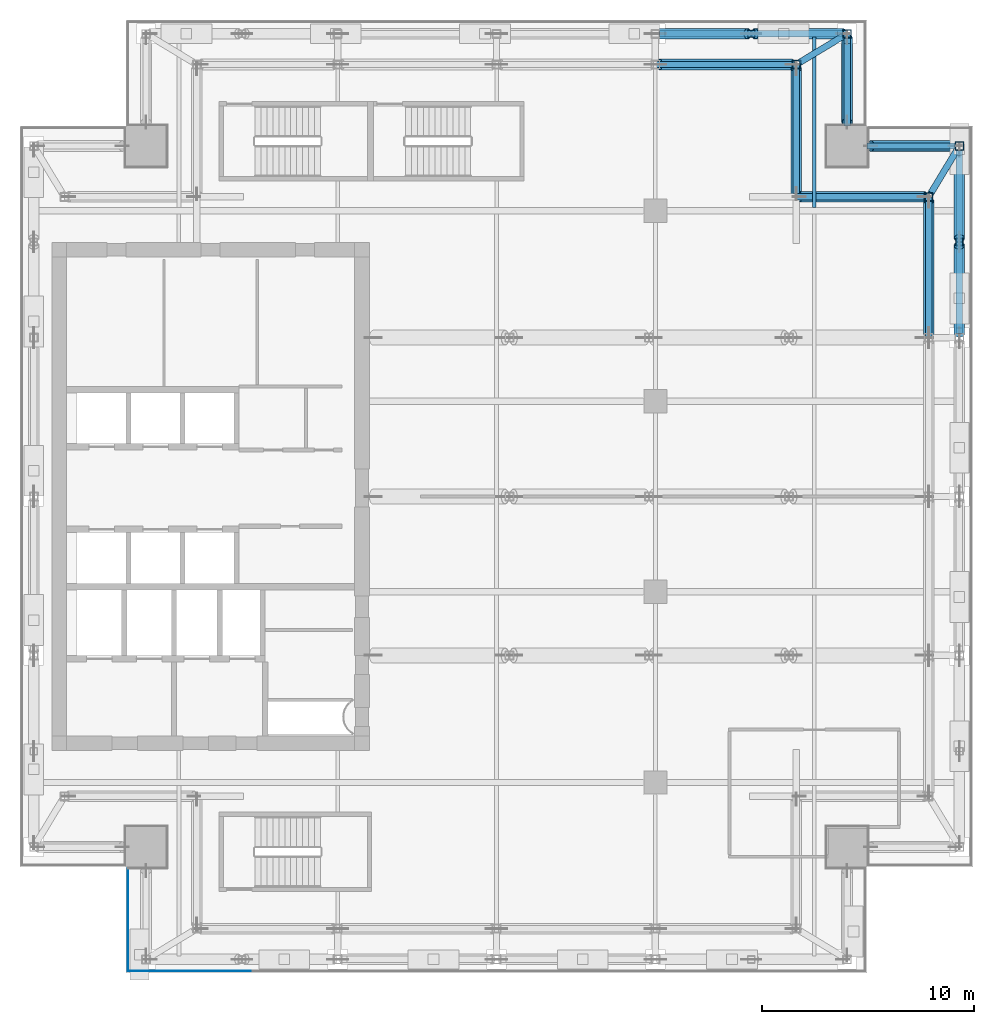
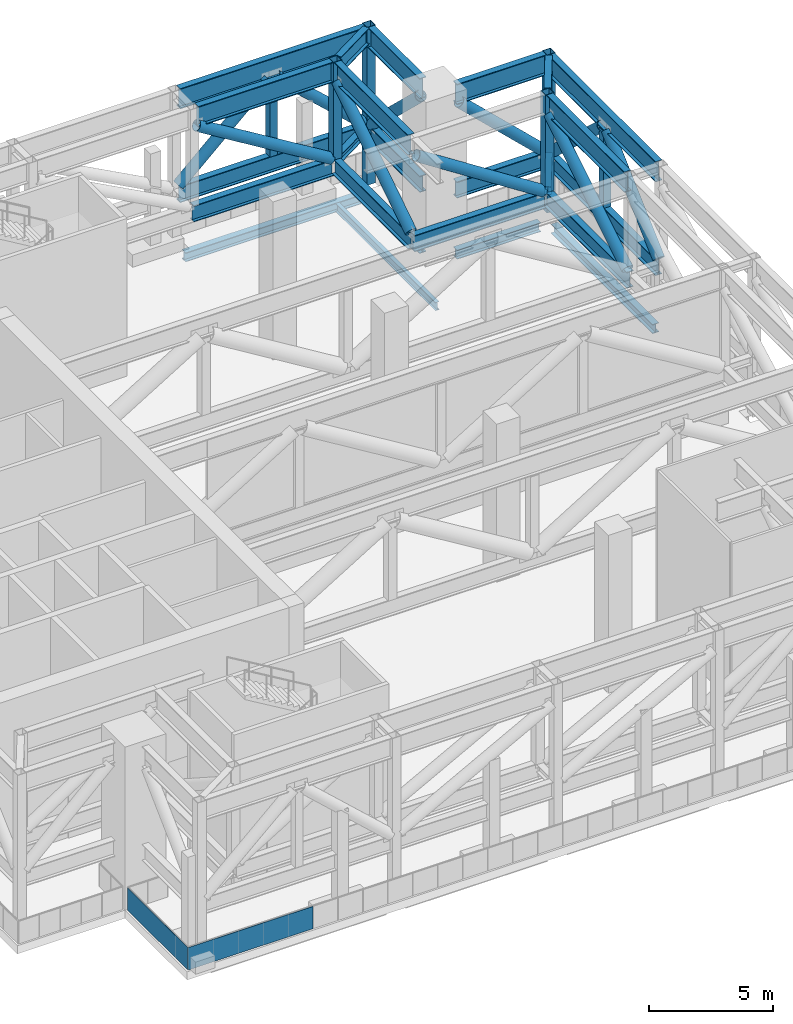
# One storey, part 6 of 15: 31 members, 9 beams, 2 plates.
"""IFC4 building model written with IfcOpenShell, lengths in metres."""

import ifcopenshell
import ifcopenshell.guid

model = None  # the IFC model being written
_history = None  # IfcOwnerHistory: only IFC2X3 demands one
_inside = {}  # id of a spatial element -> (the spatial element, [elements in it])
_under = {}  # id of a project, library or spatial element -> (it, [spatial elements below it])
_declared = {}  # id of a project -> (the project, [libraries it declares])
_typed = {}  # id of a type object -> (the type object, [elements of that type])
_made_of = {}  # id of a material, layer set ... -> (it, [elements and type objects made of it])


def new_model(schema):
    """Start an empty IFC model of exactly this schema.

    Asked for "IFC4X3", IfcOpenShell would pick the latest addendum, in which some entities
    have other attributes; the version numbers below select the first issue.
    IFC2X3 requires an IfcOwnerHistory on every rooted entity: one is made here for all.
    """
    global model, _history
    if schema == "IFC4X3":
        model = ifcopenshell.file(schema_version=(4, 3, 0, 0))
    else:
        model = ifcopenshell.file(schema=schema)
    _inside.clear()
    _under.clear()
    _declared.clear()
    _typed.clear()
    _made_of.clear()
    _history = None
    if model.schema == "IFC2X3":
        org = make("IfcOrganization", Name="unknown")
        user = make(
            "IfcPersonAndOrganization",
            ThePerson=make("IfcPerson", FamilyName="unknown"),
            TheOrganization=org,
        )
        app = make(
            "IfcApplication",
            ApplicationDeveloper=org,
            Version="unknown",
            ApplicationFullName="unknown",
            ApplicationIdentifier="unknown",
        )
        _history = make(
            "IfcOwnerHistory",
            OwningUser=user,
            OwningApplication=app,
            ChangeAction="ADDED",
            CreationDate=0,
        )
    return model


def make(cls, **values):
    """One entity of the class cls with the attributes given. An attribute that is None is left unset."""
    return model.create_entity(
        cls, **{name: value for name, value in values.items() if value is not None}
    )


def rooted(cls, **values):
    """An entity with a GlobalId (a new one), such as an element, a storey or a relation."""
    return make(cls, GlobalId=ifcopenshell.guid.new(), OwnerHistory=_history, **values)


def si_unit(unit_type, name, prefix=None):
    """IfcSIUnit, for example si_unit("LENGTHUNIT", "METRE", prefix="MILLI")."""
    return make("IfcSIUnit", UnitType=unit_type, Prefix=prefix, Name=name)


def assignment(units):
    """IfcUnitAssignment: the units of a project."""
    return None if units is None else make("IfcUnitAssignment", Units=units)


def point(xyz):
    """IfcCartesianPoint."""
    return None if xyz is None else make("IfcCartesianPoint", Coordinates=xyz)


def direction(xyz):
    """IfcDirection."""
    return None if xyz is None else make("IfcDirection", DirectionRatios=xyz)


def frame(location, z_axis=None, x_axis=None):
    """IfcAxis2Placement3D, a coordinate frame: its origin and axes. An axis left out is left unset."""
    return make(
        "IfcAxis2Placement3D",
        Location=point(location),
        Axis=direction(z_axis),
        RefDirection=direction(x_axis),
    )


def frame_2d(location, x_axis=None):
    """IfcAxis2Placement2D, a coordinate frame in the plane: its origin and x axis."""
    return make(
        "IfcAxis2Placement2D", Location=point(location), RefDirection=direction(x_axis)
    )


def origin():
    """The frame at (0, 0, 0) with its axes left unset."""
    return frame((0.0, 0.0, 0.0))


def origin_2d():
    """The frame at (0, 0) in the plane with its x axis left unset."""
    return frame_2d((0.0, 0.0))


def place(relative_to, where):
    """IfcLocalPlacement: puts the frame where relative to a parent placement (None: the world)."""
    return make(
        "IfcLocalPlacement", PlacementRelTo=relative_to, RelativePlacement=where
    )


def context(
    kind, dimensions, precision=None, world=None, true_north=None, identifier=None
):
    """IfcGeometricRepresentationContext, for example the 3D "Model" context."""
    return make(
        "IfcGeometricRepresentationContext",
        ContextIdentifier=identifier,
        ContextType=kind,
        CoordinateSpaceDimension=dimensions,
        Precision=precision,
        WorldCoordinateSystem=world,
        TrueNorth=true_north,
    )


def subcontext(parent, identifier, kind, view, scale=None):
    """IfcGeometricRepresentationSubContext, for example "Body" below "Model"."""
    return make(
        "IfcGeometricRepresentationSubContext",
        ContextIdentifier=identifier,
        ContextType=kind,
        ParentContext=parent,
        TargetScale=scale,
        TargetView=view,
    )


def project(units=None, contexts=None):
    """IfcProject with its units and contexts."""
    return rooted(
        "IfcProject",
        Name="project",
        RepresentationContexts=contexts,
        UnitsInContext=assignment(units),
    )


def spatial(cls, under=None, at=None, **own):
    """A site, building, storey or space (cls), placed at a placement, below another one or the project."""
    s = rooted(cls, ObjectPlacement=at, **own)
    if under is not None:
        _under.setdefault(under.id(), (under, []))[1].append(s)
    return s


def profile(cls, at=None, kind="AREA", **sizes):
    """A parametric profile (cls). Its sizes go by their IFC names, for example OverallWidth=200.0."""
    return make(cls, ProfileType=kind, Position=at, **sizes)


def rectangle(**sizes):
    """IfcRectangleProfileDef."""
    return profile("IfcRectangleProfileDef", **sizes)


def hollow_rectangle(**sizes):
    """IfcRectangleHollowProfileDef."""
    return profile("IfcRectangleHollowProfileDef", **sizes)


def hollow_circle(**sizes):
    """IfcCircleHollowProfileDef."""
    return profile("IfcCircleHollowProfileDef", **sizes)


def i_section(**sizes):
    """IfcIShapeProfileDef."""
    return profile("IfcIShapeProfileDef", **sizes)


def extrude(swept, where, along, depth):
    """IfcExtrudedAreaSolid: the profile swept, set in the frame where, extruded along a direction by depth."""
    return make(
        "IfcExtrudedAreaSolid",
        SweptArea=swept,
        Position=where,
        ExtrudedDirection=direction(along),
        Depth=depth,
    )


def shape(context_of_items, identifier, shape_type, items):
    """IfcShapeRepresentation: the items that make up one representation, for example the "Body"."""
    return make(
        "IfcShapeRepresentation",
        ContextOfItems=context_of_items,
        RepresentationIdentifier=identifier,
        RepresentationType=shape_type,
        Items=items,
    )


def source(mapping_origin, context_of_items, identifier, shape_type, items):
    """IfcRepresentationMap: a shape defined once, which mapped items show again and again."""
    return make(
        "IfcRepresentationMap",
        MappingOrigin=mapping_origin,
        MappedRepresentation=shape(context_of_items, identifier, shape_type, items),
    )


def transform(
    local_origin,
    x_axis=None,
    y_axis=None,
    z_axis=None,
    scale=None,
    scale2=None,
    scale3=None,
    uniform=True,
):
    """IfcCartesianTransformationOperator3D, or its non-uniform kind. x_axis, y_axis, z_axis: its Axis1, 2, 3."""
    if uniform:
        return make(
            "IfcCartesianTransformationOperator3D",
            Axis1=direction(x_axis),
            Axis2=direction(y_axis),
            LocalOrigin=point(local_origin),
            Scale=scale,
            Axis3=direction(z_axis),
        )
    return make(
        "IfcCartesianTransformationOperator3DnonUniform",
        Axis1=direction(x_axis),
        Axis2=direction(y_axis),
        LocalOrigin=point(local_origin),
        Scale=scale,
        Axis3=direction(z_axis),
        Scale2=scale2,
        Scale3=scale3,
    )


def mapped(mapping_source, mapping_target):
    """IfcMappedItem: shows the shape of a source again, moved by a transform."""
    return make(
        "IfcMappedItem", MappingSource=mapping_source, MappingTarget=mapping_target
    )


def material(Name=None, Category=None):
    """IfcMaterial."""
    return make("IfcMaterial", Name=Name, Category=Category)


def layer(
    of_material, thickness, ventilated=None, Name=None, Category=None, Priority=None
):
    """IfcMaterialLayer: one layer of a wall or slab, of a material (None: an air gap)."""
    return make(
        "IfcMaterialLayer",
        Material=of_material,
        LayerThickness=thickness,
        IsVentilated=ventilated,
        Name=Name,
        Category=Category,
        Priority=Priority,
    )


def layer_set(layers, Name=None):
    """IfcMaterialLayerSet."""
    return make("IfcMaterialLayerSet", MaterialLayers=layers, LayerSetName=Name)


def material_profile(
    of_material, cross_section, Name=None, Category=None, Priority=None
):
    """IfcMaterialProfile: a cross section and its material."""
    return make(
        "IfcMaterialProfile",
        Name=Name,
        Material=of_material,
        Profile=cross_section,
        Priority=Priority,
        Category=Category,
    )


def profile_set(profiles, Name=None, composite=None):
    """IfcMaterialProfileSet."""
    return make(
        "IfcMaterialProfileSet",
        Name=Name,
        MaterialProfiles=profiles,
        CompositeProfile=composite,
    )


def made_of(thing, what):
    """Note that an element or type object is made of a material, layer set ...; save() writes the relation."""
    if what is not None:
        _made_of.setdefault(what.id(), (what, []))[1].append(thing)
    return thing


def type_object(cls, material=None, **own):
    """A type object (cls), such as IfcWallType, which elements share."""
    return made_of(rooted(cls, **own), material)


def element(
    cls,
    number,
    at=None,
    inside=None,
    cuts=None,
    type_object=None,
    material=None,
    context=None,
    identifier="Body",
    shape_type=None,
    held_by="IfcProductDefinitionShape",
    body=None,
    shapes=None,
    **own,
):
    """One element of the class cls, such as IfcWall. Its Tag is "e" and its number.

    at: its placement. inside: the storey or other place that contains it. cuts: it is an
    opening in that element (IfcRelVoidsElement). A single representation is given by context,
    identifier, shape_type and body (its items); several are given by shapes. held_by: the class
    of the entity that holds the representations. save() writes the other relations.
    """
    e = rooted(cls, Tag="e%d" % number, ObjectPlacement=at, **own)
    if body is not None:
        shapes = [shape(context, identifier, shape_type, body)]
    if shapes is not None:
        e.Representation = make(held_by, Representations=shapes)
    if inside is not None:
        _inside.setdefault(inside.id(), (inside, []))[1].append(e)
    if cuts is not None:
        rooted(
            "IfcRelVoidsElement", RelatingBuildingElement=cuts, RelatedOpeningElement=e
        )
    if type_object is not None:
        _typed.setdefault(type_object.id(), (type_object, []))[1].append(e)
    return made_of(e, material)


def aggregate(whole, parts):
    """IfcRelAggregates: a whole, such as a stair, and the parts it consists of."""
    return rooted("IfcRelAggregates", RelatingObject=whole, RelatedObjects=parts)


def save(model, path):
    """Write the relations noted so far, then the file.

    IfcRelAggregates (storeys below a building ...), IfcRelContainedInSpatialStructure (elements
    in a storey), IfcRelDefinesByType, IfcRelAssociatesMaterial and IfcRelDeclares: one each for
    every whole, place, type object, material and project.
    """
    for whole, parts in _under.values():
        aggregate(whole, parts)
    for where, things in _inside.values():
        rooted(
            "IfcRelContainedInSpatialStructure",
            RelatedElements=things,
            RelatingStructure=where,
        )
    for kind, things in _typed.values():
        rooted("IfcRelDefinesByType", RelatedObjects=things, RelatingType=kind)
    for what, things in _made_of.values():
        rooted("IfcRelAssociatesMaterial", RelatedObjects=things, RelatingMaterial=what)
    for by, libraries in _declared.values():
        rooted("IfcRelDeclares", RelatingContext=by, RelatedDefinitions=libraries)
    model.write(path)


model = new_model("IFC4")

# Units and contexts
model_context = context("Model", 3, precision=1e-05, world=origin(), true_north=direction((0.0, 1.0)))
body_context = subcontext(model_context, "Body", "Model", "MODEL_VIEW")
ifc_project = project(units=[si_unit("LENGTHUNIT", "METRE"), si_unit("AREAUNIT", "SQUARE_METRE"), si_unit("VOLUMEUNIT", "CUBIC_METRE"), si_unit("PLANEANGLEUNIT", "RADIAN"), si_unit("MASSUNIT", "GRAM", prefix="KILO")], contexts=[model_context])

# Site, building, storey
site_placement = place(None, origin())
site = spatial("IfcSite", under=ifc_project, at=site_placement, CompositionType="ELEMENT")
building_placement = place(site_placement, origin())
building = spatial("IfcBuilding", under=site, at=building_placement, Name="Khomas Fold Tower", CompositionType="ELEMENT")
storey_placement = place(building_placement, frame((0.0, 0.0, 274.199951171875)))
storey = spatial("IfcBuildingStorey", under=building, at=storey_placement, Name="L62", CompositionType="ELEMENT", Elevation=274.199951171875)

# Beams
ifc_material_1 = material(Name="Steel S355", Category="steel")
ifc_material_profile_1 = material_profile(ifc_material_1, i_section(OverallWidth=0.300048828125, OverallDepth=0.449951171875, WebThickness=0.013916015625, FlangeThickness=0.02587890625, at=origin_2d()), Name="HE 450 B")
ifc_profile_set_1 = profile_set([ifc_material_profile_1], Name="Steel S355")
beam_type_1 = type_object("IfcBeamType", Name="HE 450 B spandrel SB4", PredefinedType="SPANDREL", material=ifc_profile_set_1)
shared_shape_1 = source(origin(), body_context, "Body", "SweptSolid", [
    extrude(i_section(OverallWidth=0.300048828125, OverallDepth=0.449951171875, WebThickness=0.013916015625, FlangeThickness=0.02587890625, at=origin_2d()), origin(), (0.0, 0.0, 1.0), 8.150146484375),
])
for number, where, z_axis, x_axis, name in (
    (1, (48.85009765625, 34.949951171875, -0.625), (0.0, 1.0, 0.0), (-1.0, 0.0, 0.0), "SB4"),
    (2, (34.949951171875, 48.85009765625, -0.625), (1.0, 0.0, 0.0), (0.0, 1.0, 0.0), "SB4"),
):
    element("IfcBeam", number, at=place(storey_placement, frame(where, z_axis=z_axis, x_axis=x_axis)), inside=storey, type_object=beam_type_1, Name=name, PredefinedType="SPANDREL", context=body_context, shape_type="MappedRepresentation", body=[
        mapped(shared_shape_1, transform((0.0, 0.0, 0.0))),
    ])
shared_shape_2 = source(origin(), body_context, "Body", "SweptSolid", [
    extrude(i_section(OverallWidth=0.300048828125, OverallDepth=0.449951171875, WebThickness=0.013916015625, FlangeThickness=0.02587890625, at=origin_2d()), origin(), (0.0, 0.0, 1.0), 3.89990234375),
])
for number, where, z_axis, x_axis, name in (
    (3, (44.5, 43.550048828125, -0.625), (1.0, 0.0, 0.0), (0.0, 1.0, 0.0), "SB4"),
    (4, (43.550048828125, 44.5, -0.625), (0.0, 1.0, 0.0), (-1.0, 0.0, 0.0), "SB4"),
):
    element("IfcBeam", number, at=place(storey_placement, frame(where, z_axis=z_axis, x_axis=x_axis)), inside=storey, type_object=beam_type_1, Name=name, PredefinedType="SPANDREL", context=body_context, shape_type="MappedRepresentation", body=[
        mapped(shared_shape_2, transform((0.0, 0.0, 0.0))),
    ])
ifc_material_2 = material(Name="Steel S355", Category="steel")
ifc_material_profile_2 = material_profile(ifc_material_2, i_section(OverallWidth=0.179931640625, OverallDepth=0.39990234375, WebThickness=0.008544921875, FlangeThickness=0.013427734375, at=origin_2d()), Name="IPE 400")
ifc_profile_set_2 = profile_set([ifc_material_profile_2], Name="Steel S355")
beam_type_2 = type_object("IfcBeamType", Name="IPE 400 beam JB3", PredefinedType="BEAM", material=ifc_profile_set_2)
shared_shape_3 = source(origin(), body_context, "Body", "SweptSolid", [
    extrude(i_section(OverallWidth=0.179931640625, OverallDepth=0.39990234375, WebThickness=0.008544921875, FlangeThickness=0.013427734375, at=origin_2d()), origin(), (0.0, 0.0, 1.0), 8.050048828125),
])
beam_placement = place(storey_placement, frame((42.0, 40.64990234375, -0.599853515625), z_axis=(0.0, 1.0, 0.0), x_axis=(-1.0, 0.0, 0.0)))
element("IfcBeam", 5, at=beam_placement, inside=storey, type_object=beam_type_2, Name="JB3", PredefinedType="BEAM", context=body_context, shape_type="MappedRepresentation", body=[
    mapped(shared_shape_3, transform((0.0, 0.0, 0.0))),
])

# Members
ifc_material_3 = material(Name="Steel S460M", Category="steel")
ifc_material_profile_3 = material_profile(ifc_material_3, i_section(OverallWidth=0.300048828125, OverallDepth=1.0, WebThickness=0.01904296875, FlangeThickness=0.035888671875, at=origin_2d()), Name="HE 1000 B")
ifc_profile_set_3 = profile_set([ifc_material_profile_3], Name="Steel S460M")
member_type_1 = type_object("IfcMemberType", Name="BELT TRUSS 4 TOP CHORD HE 1000 B", PredefinedType="CHORD", material=ifc_profile_set_3)
shared_shape_4 = source(origin(), body_context, "Body", "SweptSolid", [
    extrude(i_section(OverallWidth=0.300048828125, OverallDepth=1.0, WebThickness=0.01904296875, FlangeThickness=0.035888671875, at=origin_2d()), origin(), (0.0, 0.0, 1.0), 8.650146484375),
])
for number, where, z_axis, x_axis, name in (
    (6, (48.85009765625, 34.699951171875, 7.25), (0.0, 1.0, 0.0), (-1.0, 0.0, 0.0), "BT4-CT"),
    (7, (43.35009765625, 48.85009765625, 7.25), (-1.0, 0.0, 0.0), (0.0, -1.0, 0.0), "BT4-CT"),
):
    element("IfcMember", number, at=place(storey_placement, frame(where, z_axis=z_axis, x_axis=x_axis)), inside=storey, type_object=member_type_1, Name=name, PredefinedType="CHORD", context=body_context, shape_type="MappedRepresentation", body=[
        mapped(shared_shape_4, transform((0.0, 0.0, 0.0))),
    ])
ifc_material_4 = material(Name="Steel S460M", Category="steel")
ifc_material_profile_4 = material_profile(ifc_material_4, i_section(OverallWidth=0.300048828125, OverallDepth=0.800048828125, WebThickness=0.017578125, FlangeThickness=0.032958984375, at=origin_2d()), Name="HE 800 B")
ifc_profile_set_4 = profile_set([ifc_material_profile_4], Name="Steel S460M")
member_type_2 = type_object("IfcMemberType", Name="BELT TRUSS 4 BOTTOM CHORD HE 800 B", PredefinedType="CHORD", material=ifc_profile_set_4)
shared_shape_5 = source(origin(), body_context, "Body", "SweptSolid", [
    extrude(i_section(OverallWidth=0.300048828125, OverallDepth=0.800048828125, WebThickness=0.017578125, FlangeThickness=0.032958984375, at=origin_2d()), origin(), (0.0, 0.0, 1.0), 8.650146484375),
])
for number, where, z_axis, x_axis, name in (
    (8, (48.85009765625, 34.699951171875, 2.550048828125), (0.0, 1.0, 0.0), (-1.0, 0.0, 0.0), "BT4-CB"),
    (9, (43.35009765625, 48.85009765625, 2.550048828125), (-1.0, 0.0, 0.0), (0.0, -1.0, 0.0), "BT4-CB"),
):
    element("IfcMember", number, at=place(storey_placement, frame(where, z_axis=z_axis, x_axis=x_axis)), inside=storey, type_object=member_type_2, Name=name, PredefinedType="CHORD", context=body_context, shape_type="MappedRepresentation", body=[
        mapped(shared_shape_5, transform((0.0, 0.0, 0.0))),
    ])
ifc_material_5 = material(Name="Steel S355", Category="steel")
ifc_material_profile_5 = material_profile(ifc_material_5, hollow_circle(Radius=0.25390625, WallThickness=0.02001953125, at=origin_2d()), Name="CHS 508x20")
ifc_profile_set_5 = profile_set([ifc_material_profile_5], Name="Steel S355")
member_type_3 = type_object("IfcMemberType", Name="BELT TRUSS 4 DIAGONAL CHS 508x20", PredefinedType="BRACE", material=ifc_profile_set_5)
shared_shape_6 = source(origin(), body_context, "Body", "SweptSolid", [
    extrude(hollow_circle(Radius=0.25390625, WallThickness=0.02001953125, at=origin_2d()), origin(), (0.0, 0.0, 1.0), 5.6337890625),
])
for number, where, z_axis, x_axis, name in (
    (10, (48.85009765625, 34.699951171875, 2.945068359375), (0.0, 0.736644872109, 0.676279773759), (-1.0, 0.0, 0.0), "BT4-D"),
    (11, (48.85009765625, 39.199951171875, 6.755126953125), (0.0, 0.736644872109, -0.676279773759), (-1.0, 0.0, 0.0), "BT4-D"),
    (12, (43.35009765625, 48.85009765625, 2.945068359375), (-0.736644872109, 0.0, 0.676279773759), (0.0, -1.0, 0.0), "BT4-D"),
    (13, (38.85009765625, 48.85009765625, 6.755126953125), (-0.736644872109, 0.0, -0.676279773759), (0.0, -1.0, 0.0), "BT4-D"),
):
    element("IfcMember", number, at=place(storey_placement, frame(where, z_axis=z_axis, x_axis=x_axis)), inside=storey, type_object=member_type_3, Name=name, PredefinedType="BRACE", context=body_context, shape_type="MappedRepresentation", body=[
        mapped(shared_shape_6, transform((0.0, 0.0, 0.0))),
    ])
ifc_material_6 = material(Name="Steel S355", Category="steel")
ifc_material_profile_6 = material_profile(ifc_material_6, hollow_rectangle(XDim=0.35009765625, YDim=0.35009765625, WallThickness=0.02001953125, at=origin_2d()), Name="SHS 350x350x20")
ifc_profile_set_6 = profile_set([ifc_material_profile_6], Name="Steel S355")
member_type_4 = type_object("IfcMemberType", Name="BELT TRUSS 4 MID POST SHS 350x350x20", PredefinedType="POST", material=ifc_profile_set_6)
shared_shape_7 = source(origin(), body_context, "Body", "SweptSolid", [
    extrude(hollow_rectangle(XDim=0.35009765625, YDim=0.35009765625, WallThickness=0.02001953125, at=origin_2d()), origin(), (0.0, 0.0, 1.0), 3.800048828125),
])
for number, where, z_axis, x_axis, name in (
    (14, (48.85009765625, 39.02490234375, 2.949951171875), (0.0, 0.0, 1.0), (1.0, 0.0, 0.0), "BT4-M"),
    (15, (39.02490234375, 48.85009765625, 2.949951171875), (0.0, 0.0, 1.0), (1.0, 0.0, 0.0), "BT4-M"),
):
    element("IfcMember", number, at=place(storey_placement, frame(where, z_axis=z_axis, x_axis=x_axis)), inside=storey, type_object=member_type_4, Name=name, PredefinedType="POST", context=body_context, shape_type="MappedRepresentation", body=[
        mapped(shared_shape_7, transform((0.0, 0.0, 0.0))),
    ])
ifc_material_7 = material(Name="Steel S460M", Category="steel")
ifc_material_profile_7 = material_profile(ifc_material_7, i_section(OverallWidth=0.300048828125, OverallDepth=1.0, WebThickness=0.01904296875, FlangeThickness=0.035888671875, at=origin_2d()), Name="HE 1000 B")
ifc_profile_set_7 = profile_set([ifc_material_profile_7], Name="Steel S460M")
member_type_5 = type_object("IfcMemberType", Name="BELT TRUSS 4 TOP CHORD SHORT HE 1000 B", PredefinedType="CHORD", material=ifc_profile_set_7)
shared_shape_8 = source(origin(), body_context, "Body", "SweptSolid", [
    extrude(i_section(OverallWidth=0.300048828125, OverallDepth=1.0, WebThickness=0.01904296875, FlangeThickness=0.035888671875, at=origin_2d()), origin(), (0.0, 0.0, 1.0), 4.14990234375),
])
for number, where, z_axis, x_axis, name in (
    (16, (48.64990234375, 43.550048828125, 7.25), (-1.0, 0.0, 0.0), (0.0, -1.0, 0.0), "BT4-CTS"),
    (17, (43.550048828125, 48.64990234375, 7.25), (0.0, -1.0, 0.0), (1.0, 0.0, 0.0), "BT4-CTS"),
):
    element("IfcMember", number, at=place(storey_placement, frame(where, z_axis=z_axis, x_axis=x_axis)), inside=storey, type_object=member_type_5, Name=name, PredefinedType="CHORD", context=body_context, shape_type="MappedRepresentation", body=[
        mapped(shared_shape_8, transform((0.0, 0.0, 0.0))),
    ])
ifc_material_8 = material(Name="Steel S460M", Category="steel")
ifc_material_profile_8 = material_profile(ifc_material_8, i_section(OverallWidth=0.300048828125, OverallDepth=0.800048828125, WebThickness=0.017578125, FlangeThickness=0.032958984375, at=origin_2d()), Name="HE 800 B")
ifc_profile_set_8 = profile_set([ifc_material_profile_8], Name="Steel S460M")
member_type_6 = type_object("IfcMemberType", Name="BELT TRUSS 4 BOTTOM CHORD SHORT HE 800 B", PredefinedType="CHORD", material=ifc_profile_set_8)
shared_shape_9 = source(origin(), body_context, "Body", "SweptSolid", [
    extrude(i_section(OverallWidth=0.300048828125, OverallDepth=0.800048828125, WebThickness=0.017578125, FlangeThickness=0.032958984375, at=origin_2d()), origin(), (0.0, 0.0, 1.0), 4.14990234375),
])
for number, where, z_axis, x_axis, name in (
    (18, (48.64990234375, 43.550048828125, 2.550048828125), (-1.0, 0.0, 0.0), (0.0, -1.0, 0.0), "BT4-CBS"),
    (19, (43.550048828125, 48.64990234375, 2.550048828125), (0.0, -1.0, 0.0), (1.0, 0.0, 0.0), "BT4-CBS"),
):
    element("IfcMember", number, at=place(storey_placement, frame(where, z_axis=z_axis, x_axis=x_axis)), inside=storey, type_object=member_type_6, Name=name, PredefinedType="CHORD", context=body_context, shape_type="MappedRepresentation", body=[
        mapped(shared_shape_9, transform((0.0, 0.0, 0.0))),
    ])
shared_shape_10 = source(origin(), body_context, "Body", "SweptSolid", [
    extrude(hollow_circle(Radius=0.25390625, WallThickness=0.02001953125, at=origin_2d()), origin(), (0.0, 0.0, 1.0), 5.508544921875),
])
for number, where, z_axis, x_axis, name in (
    (20, (48.64990234375, 43.550048828125, 2.945068359375), (-0.722210494752, 0.0, 0.691673334219), (0.0, -1.0, 0.0), "BT4-D"),
    (21, (43.550048828125, 48.64990234375, 2.945068359375), (0.0, -0.722210494752, 0.691673334219), (1.0, 0.0, 0.0), "BT4-D"),
):
    element("IfcMember", number, at=place(storey_placement, frame(where, z_axis=z_axis, x_axis=x_axis)), inside=storey, type_object=member_type_3, Name=name, PredefinedType="BRACE", context=body_context, shape_type="MappedRepresentation", body=[
        mapped(shared_shape_10, transform((0.0, 0.0, 0.0))),
    ])
shared_shape_11 = source(origin(), body_context, "Body", "SweptSolid", [
    extrude(i_section(OverallWidth=0.300048828125, OverallDepth=1.0, WebThickness=0.01904296875, FlangeThickness=0.035888671875, at=origin_2d()), origin(), (0.0, 0.0, 1.0), 6.25),
])
for number, where, z_axis, x_axis, name in (
    (22, (47.39990234375, 34.699951171875, 7.25), (0.0, 1.0, 0.0), (-1.0, 0.0, 0.0), "BT4-CT"),
    (23, (40.949951171875, 47.39990234375, 7.25), (-1.0, 0.0, 0.0), (0.0, -1.0, 0.0), "BT4-CT"),
):
    element("IfcMember", number, at=place(storey_placement, frame(where, z_axis=z_axis, x_axis=x_axis)), inside=storey, type_object=member_type_1, Name=name, PredefinedType="CHORD", context=body_context, shape_type="MappedRepresentation", body=[
        mapped(shared_shape_11, transform((0.0, 0.0, 0.0))),
    ])
shared_shape_12 = source(origin(), body_context, "Body", "SweptSolid", [
    extrude(i_section(OverallWidth=0.300048828125, OverallDepth=0.800048828125, WebThickness=0.017578125, FlangeThickness=0.032958984375, at=origin_2d()), origin(), (0.0, 0.0, 1.0), 6.5),
])
member_1_placement = place(storey_placement, frame((41.0, 47.39990234375, 2.550048828125), z_axis=(-1.0, 0.0, 0.0), x_axis=(0.0, -1.0, 0.0)))
element("IfcMember", 24, at=member_1_placement, inside=storey, type_object=member_type_2, Name="BT4-CB", PredefinedType="CHORD", context=body_context, shape_type="MappedRepresentation", body=[
    mapped(shared_shape_12, transform((0.0, 0.0, 0.0))),
])
shared_shape_13 = source(origin(), body_context, "Body", "SweptSolid", [
    extrude(hollow_circle(Radius=0.25390625, WallThickness=0.02001953125, at=origin_2d()), origin(), (0.0, 0.0, 1.0), 7.31982421875),
])
for number, where, z_axis, x_axis, name in (
    (25, (47.39990234375, 34.699951171875, 2.945068359375), (0.0, 0.853851856649, 0.520516096674), (-1.0, 0.0, 0.0), "BT4-D"),
    (26, (40.949951171875, 47.39990234375, 2.945068359375), (-0.853851856649, 0.0, 0.520516096674), (0.0, -1.0, 0.0), "BT4-D"),
):
    element("IfcMember", number, at=place(storey_placement, frame(where, z_axis=z_axis, x_axis=x_axis)), inside=storey, type_object=member_type_3, Name=name, PredefinedType="BRACE", context=body_context, shape_type="MappedRepresentation", body=[
        mapped(shared_shape_13, transform((0.0, 0.0, 0.0))),
    ])
shared_shape_14 = source(origin(), body_context, "Body", "SweptSolid", [
    extrude(i_section(OverallWidth=0.300048828125, OverallDepth=0.800048828125, WebThickness=0.017578125, FlangeThickness=0.032958984375, at=origin_2d()), origin(), (0.0, 0.0, 1.0), 6.64990234375),
])
member_2_placement = place(storey_placement, frame((47.39990234375, 34.5, 2.550048828125), z_axis=(0.0, 1.0, 0.0), x_axis=(-1.0, 0.0, 0.0)))
element("IfcMember", 27, at=member_2_placement, inside=storey, type_object=member_type_2, Name="BT4-CB", PredefinedType="CHORD", context=body_context, shape_type="MappedRepresentation", body=[
    mapped(shared_shape_14, transform((0.0, 0.0, 0.0))),
])
shared_shape_15 = source(origin(), body_context, "Body", "SweptSolid", [
    extrude(hollow_circle(Radius=0.25390625, WallThickness=0.02001953125, at=origin_2d()), origin(), (0.0, 0.0, 1.0), 7.03564453125),
])
member_3_placement = place(storey_placement, frame((47.199951171875, 41.14990234375, 2.945068359375), z_axis=(-0.840680917797, 0.0, 0.541530788093), x_axis=(0.0, -1.0, 0.0)))
element("IfcMember", 28, at=member_3_placement, inside=storey, type_object=member_type_3, Name="BT4-D", PredefinedType="BRACE", context=body_context, shape_type="MappedRepresentation", body=[
    mapped(shared_shape_15, transform((0.0, 0.0, 0.0))),
])
shared_shape_16 = source(origin(), body_context, "Body", "SweptSolid", [
    extrude(i_section(OverallWidth=0.300048828125, OverallDepth=1.0, WebThickness=0.01904296875, FlangeThickness=0.035888671875, at=origin_2d()), origin(), (0.0, 0.0, 1.0), 5.89990234375),
])
member_4_placement = place(storey_placement, frame((41.14990234375, 47.199951171875, 7.25), z_axis=(0.0, -1.0, 0.0), x_axis=(1.0, 0.0, 0.0)))
element("IfcMember", 29, at=member_4_placement, inside=storey, type_object=member_type_5, Name="BT4-CTS", PredefinedType="CHORD", context=body_context, shape_type="MappedRepresentation", body=[
    mapped(shared_shape_16, transform((0.0, 0.0, 0.0))),
])
shared_shape_17 = source(origin(), body_context, "Body", "SweptSolid", [
    extrude(hollow_circle(Radius=0.25390625, WallThickness=0.02001953125, at=origin_2d()), origin(), (0.0, 0.0, 1.0), 7.023193359375),
])
member_5_placement = place(storey_placement, frame((41.14990234375, 47.199951171875, 6.755126953125), z_axis=(0.0, -0.840058520302, -0.542495790277), x_axis=(1.0, 0.0, 0.0)))
element("IfcMember", 30, at=member_5_placement, inside=storey, type_object=member_type_3, Name="BT4-D", PredefinedType="BRACE", context=body_context, shape_type="MappedRepresentation", body=[
    mapped(shared_shape_17, transform((0.0, 0.0, 0.0))),
])
shared_shape_18 = source(origin(), body_context, "Body", "SweptSolid", [
    extrude(i_section(OverallWidth=0.300048828125, OverallDepth=0.800048828125, WebThickness=0.017578125, FlangeThickness=0.032958984375, at=origin_2d()), origin(), (0.0, 0.0, 1.0), 6.10009765625),
])
member_6_placement = place(storey_placement, frame((47.25, 41.14990234375, 2.550048828125), z_axis=(-1.0, 0.0, 0.0), x_axis=(0.0, -1.0, 0.0)))
element("IfcMember", 31, at=member_6_placement, inside=storey, type_object=member_type_6, Name="BT4-CBS", PredefinedType="CHORD", context=body_context, shape_type="MappedRepresentation", body=[
    mapped(shared_shape_18, transform((0.0, 0.0, 0.0))),
])
shared_shape_19 = source(origin(), body_context, "Body", "SweptSolid", [
    extrude(i_section(OverallWidth=0.300048828125, OverallDepth=0.800048828125, WebThickness=0.017578125, FlangeThickness=0.032958984375, at=origin_2d()), origin(), (0.0, 0.0, 1.0), 6.099853515625),
])
member_7_placement = place(storey_placement, frame((41.14990234375, 47.39990234375, 2.550048828125), z_axis=(0.0, -1.0, 0.0), x_axis=(1.0, 0.0, 0.0)))
element("IfcMember", 32, at=member_7_placement, inside=storey, type_object=member_type_6, Name="BT4-CBS", PredefinedType="CHORD", context=body_context, shape_type="MappedRepresentation", body=[
    mapped(shared_shape_19, transform((0.0, 0.0, 0.0))),
])
ifc_material_9 = material(Name="Steel S460M", Category="steel")
ifc_material_profile_9 = material_profile(ifc_material_9, hollow_rectangle(XDim=0.39990234375, YDim=0.39990234375, WallThickness=0.02490234375, at=origin_2d()), Name="SHS 400x400x25")
ifc_profile_set_9 = profile_set([ifc_material_profile_9], Name="Steel S460M")
member_type_7 = type_object("IfcMemberType", Name="BELT TRUSS 4 COLUMN POST SHS 400x400x25", PredefinedType="POST", material=ifc_profile_set_9)
shared_shape_20 = source(origin(), body_context, "Body", "SweptSolid", [
    extrude(hollow_rectangle(XDim=0.39990234375, YDim=0.39990234375, WallThickness=0.02490234375, at=origin_2d()), origin(), (0.0, 0.0, 1.0), 7.75),
])
for number, where, z_axis, x_axis, name in (
    (33, (48.85009765625, 43.550048828125, 0.0), (0.0, 0.0, 1.0), (1.0, 0.0, 0.0), "BT4-P"),
    (34, (43.550048828125, 48.85009765625, 0.0), (0.0, 0.0, 1.0), (1.0, 0.0, 0.0), "BT4-P"),
):
    element("IfcMember", number, at=place(storey_placement, frame(where, z_axis=z_axis, x_axis=x_axis)), inside=storey, type_object=member_type_7, Name=name, PredefinedType="POST", context=body_context, shape_type="MappedRepresentation", body=[
        mapped(shared_shape_20, transform((0.0, 0.0, 0.0))),
    ])
ifc_material_10 = material(Name="Steel S460M", Category="steel")
ifc_material_profile_10 = material_profile(ifc_material_10, hollow_rectangle(XDim=0.39990234375, YDim=0.39990234375, WallThickness=0.02490234375, at=origin_2d()), Name="SHS 400x400x25")
ifc_profile_set_10 = profile_set([ifc_material_profile_10], Name="Steel S460M")
member_type_8 = type_object("IfcMemberType", Name="BELT TRUSS 4 COLUMN POST SHORT SHS 400x400x25", PredefinedType="POST", material=ifc_profile_set_10)
shared_shape_21 = source(origin(), body_context, "Body", "SweptSolid", [
    extrude(hollow_rectangle(XDim=0.39990234375, YDim=0.39990234375, WallThickness=0.02490234375, at=origin_2d()), origin(), (0.0, 0.0, 1.0), 4.800048828125),
])
for number, where, z_axis, x_axis, name in (
    (35, (47.39990234375, 41.14990234375, 2.949951171875), (0.0, 0.0, 1.0), (1.0, 0.0, 0.0), "BT4-PS"),
    (36, (41.14990234375, 47.39990234375, 2.949951171875), (0.0, 0.0, 1.0), (1.0, 0.0, 0.0), "BT4-PS"),
):
    element("IfcMember", number, at=place(storey_placement, frame(where, z_axis=z_axis, x_axis=x_axis)), inside=storey, type_object=member_type_8, Name=name, PredefinedType="POST", context=body_context, shape_type="MappedRepresentation", body=[
        mapped(shared_shape_21, transform((0.0, 0.0, 0.0))),
    ])

# Beams
ifc_material_11 = material(Name="Steel S460M", Category="steel")
ifc_material_profile_11 = material_profile(ifc_material_11, i_section(OverallWidth=0.300048828125, OverallDepth=0.800048828125, WebThickness=0.017578125, FlangeThickness=0.032958984375, at=origin_2d()), Name="HE 800 B")
ifc_profile_set_11 = profile_set([ifc_material_profile_11], Name="Steel S460M")
beam_type_3 = type_object("IfcBeamType", Name="BELT TRUSS 4 TOP TRANSFER STRUT HE 800 B", PredefinedType="BEAM", material=ifc_profile_set_11)
shared_shape_22 = source(origin(), body_context, "Body", "SweptSolid", [
    extrude(i_section(OverallWidth=0.300048828125, OverallDepth=0.800048828125, WebThickness=0.017578125, FlangeThickness=0.032958984375, at=origin_2d()), origin(), (0.0, 0.0, 1.0), 2.336669921875),
])
for number, where, z_axis, x_axis, name in (
    (37, (47.520751953125, 41.35009765625, 7.35009765625), (0.51716666552, 0.855884711906, 0.0), (-0.855884711906, 0.51716666552, 0.0), "BT4-STD"),
    (38, (41.35009765625, 47.520751953125, 7.35009765625), (0.855884711906, 0.51716666552, 0.0), (-0.51716666552, 0.855884711906, 0.0), "BT4-STD"),
):
    element("IfcBeam", number, at=place(storey_placement, frame(where, z_axis=z_axis, x_axis=x_axis)), inside=storey, type_object=beam_type_3, Name=name, PredefinedType="BEAM", context=body_context, shape_type="MappedRepresentation", body=[
        mapped(shared_shape_22, transform((0.0, 0.0, 0.0))),
    ])
ifc_material_12 = material(Name="Steel S355", Category="steel")
ifc_material_profile_12 = material_profile(ifc_material_12, i_section(OverallWidth=0.300048828125, OverallDepth=0.39990234375, WebThickness=0.013427734375, FlangeThickness=0.02392578125, at=origin_2d()), Name="HE 400 B")
ifc_profile_set_12 = profile_set([ifc_material_profile_12], Name="Steel S355")
beam_type_4 = type_object("IfcBeamType", Name="BELT TRUSS 4 BOTTOM STRUT LONG HE 400 B", PredefinedType="BEAM", material=ifc_profile_set_12)
shared_shape_23 = source(origin(), body_context, "Body", "SweptSolid", [
    extrude(i_section(OverallWidth=0.300048828125, OverallDepth=0.39990234375, WebThickness=0.013427734375, FlangeThickness=0.02392578125, at=origin_2d()), origin(), (0.0, 0.0, 1.0), 2.39501953125),
])
for number, where, z_axis, x_axis, name in (
    (39, (47.49072265625, 41.300048828125, 2.75), (0.51710163837, 0.855924001063, 0.0), (-0.855924001063, 0.51710163837, 0.0), "BT4-SBL"),
    (40, (41.300048828125, 47.49072265625, 2.75), (0.855924001063, 0.51710163837, 0.0), (-0.51710163837, 0.855924001063, 0.0), "BT4-SBL"),
):
    element("IfcBeam", number, at=place(storey_placement, frame(where, z_axis=z_axis, x_axis=x_axis)), inside=storey, type_object=beam_type_4, Name=name, PredefinedType="BEAM", context=body_context, shape_type="MappedRepresentation", body=[
        mapped(shared_shape_23, transform((0.0, 0.0, 0.0))),
    ])

# Plates
ifc_material_13 = material(Name="Laminated toughened glass", Category="glass")
ifc_layer = layer(ifc_material_13, 0.030029296875)
ifc_layer_set = layer_set([ifc_layer], Name="Laminated toughened glass")
plate_type = type_object("IfcPlateType", Name="Guard glass infill GD-GI", PredefinedType="SHEET", material=ifc_layer_set)
shared_shape_24 = source(origin(), body_context, "Body", "SweptSolid", [
    extrude(rectangle(XDim=4.85009765625, YDim=0.030029296875, at=origin_2d()), origin(), (0.0, 0.0, 1.0), 1.10009765625),
])
plate_1_placement = place(storey_placement, frame((9.60009765625, 7.02490234375, 0.0), z_axis=(0.0, 0.0, 1.0), x_axis=(0.0, 1.0, 0.0)))
element("IfcPlate", 41, at=plate_1_placement, inside=storey, type_object=plate_type, Name="Guard glass infill", PredefinedType="SHEET", context=body_context, shape_type="MappedRepresentation", body=[
    mapped(shared_shape_24, transform((0.0, 0.0, 0.0))),
])
shared_shape_25 = source(origin(), body_context, "Body", "SweptSolid", [
    extrude(rectangle(XDim=5.800048828125, YDim=0.030029296875, at=origin_2d()), origin(), (0.0, 0.0, 1.0), 1.10009765625),
])
plate_2_placement = place(storey_placement, frame((12.5, 4.60009765625, 0.0), z_axis=(0.0, 0.0, 1.0), x_axis=(-1.0, 0.0, 0.0)))
element("IfcPlate", 42, at=plate_2_placement, inside=storey, type_object=plate_type, Name="Guard glass infill", PredefinedType="SHEET", context=body_context, shape_type="MappedRepresentation", body=[
    mapped(shared_shape_25, transform((0.0, 0.0, 0.0))),
])

save(model, "model.ifc")
